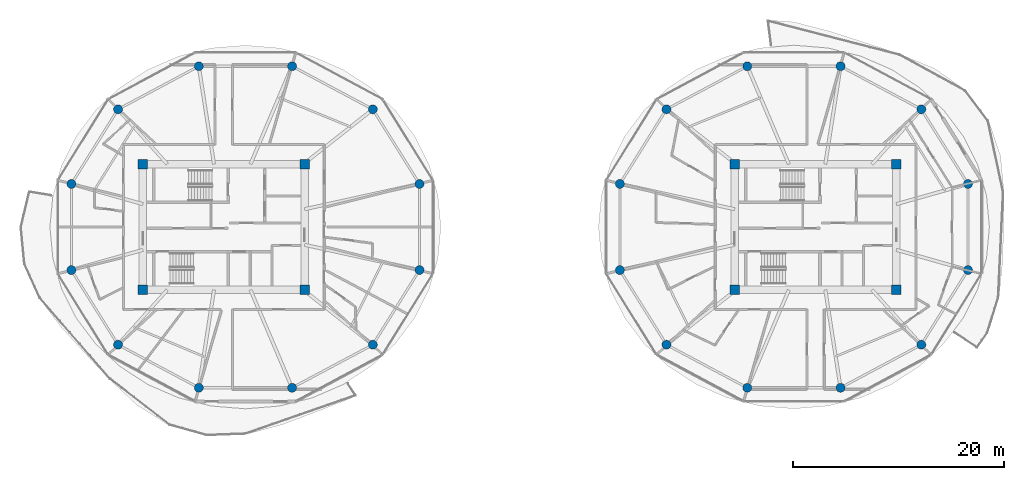
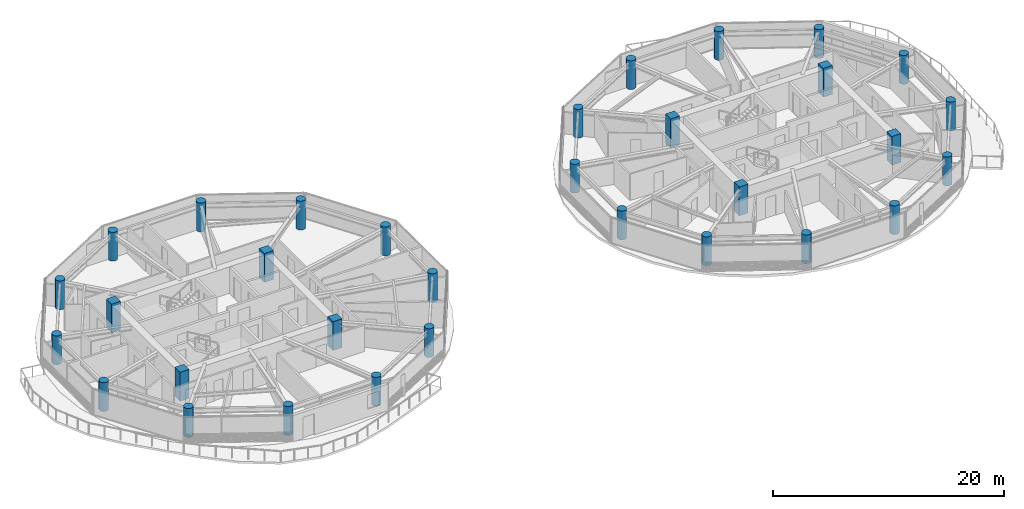
# One storey, part 1 of 24: 32 columns.
"""IFC4 building model written with IfcOpenShell, lengths in metres."""

from ifc_helpers import new_model, si_unit, direction, frame, origin, origin_2d, place, context, subcontext, project, spatial, rectangle, circle, extrude, source, transform, mapped, material, material_profile, profile_set, type_object, type_shapes, element, save


model = new_model("IFC4")

# Units and contexts
model_context = context("Model", 3, precision=1e-05, world=origin(), true_north=direction((0.0, 1.0)))
body_context = subcontext(model_context, "Body", "Model", "MODEL_VIEW")
ifc_project = project(units=[si_unit("LENGTHUNIT", "METRE"), si_unit("AREAUNIT", "SQUARE_METRE"), si_unit("VOLUMEUNIT", "CUBIC_METRE"), si_unit("PLANEANGLEUNIT", "RADIAN"), si_unit("MASSUNIT", "GRAM", prefix="KILO")], contexts=[model_context])

# Site, building, storey
site_placement = place(None, origin())
site = spatial("IfcSite", under=ifc_project, at=site_placement, CompositionType="ELEMENT")
building_placement = place(site_placement, origin())
building = spatial("IfcBuilding", under=site, at=building_placement, Name="Norrkilde Senior Care Towers", CompositionType="ELEMENT")
storey_placement = place(building_placement, frame((0.0, 0.0, 102.35009765625)))
storey = spatial("IfcBuildingStorey", under=building, at=storey_placement, Name="L31", CompositionType="ELEMENT", Elevation=102.35009765625)

# Columns
ifc_material = material(Name="Concrete C60/75", Category="concrete")
ifc_material_profile_1 = material_profile(ifc_material, rectangle(XDim=0.89990234375, YDim=0.89990234375, at=origin_2d()), Name="RC COL 900x900")
ifc_profile_set_1 = profile_set([ifc_material_profile_1], Name="Concrete C60/75")
column_type_1 = type_object("IfcColumnType", Name="Column Core Corner Z1-Z2 900", PredefinedType="COLUMN", material=ifc_profile_set_1)
shared_shape_1 = source(origin(), body_context, "Body", "SweptSolid", [
    extrude(rectangle(XDim=0.89990234375, YDim=0.89990234375, at=origin_2d()), origin(), (0.0, 0.0, 1.0), 3.0498046875),
])
type_shapes(column_type_1, [shared_shape_1])
for number, where, z_axis, x_axis, name in (
    (1, (-35.64990234375, -5.949951171875, 0.0), (0.0, 0.0, 1.0), (1.0, 0.0, 0.0), "L31 Core W Corner Column 1"),
    (2, (-20.35009765625, -5.949951171875, 0.0), (0.0, 0.0, 1.0), (1.0, 0.0, 0.0), "L31 Core W Corner Column 2"),
    (3, (-20.35009765625, 5.949951171875, 0.0), (0.0, 0.0, 1.0), (1.0, 0.0, 0.0), "L31 Core W Corner Column 3"),
    (4, (-35.64990234375, 5.949951171875, 0.0), (0.0, 0.0, 1.0), (1.0, 0.0, 0.0), "L31 Core W Corner Column 4"),
    (5, (20.35009765625, -5.949951171875, 0.0), (0.0, 0.0, 1.0), (1.0, 0.0, 0.0), "L31 Core E Corner Column 1"),
    (6, (35.64990234375, -5.949951171875, 0.0), (0.0, 0.0, 1.0), (1.0, 0.0, 0.0), "L31 Core E Corner Column 2"),
    (7, (35.64990234375, 5.949951171875, 0.0), (0.0, 0.0, 1.0), (1.0, 0.0, 0.0), "L31 Core E Corner Column 3"),
    (8, (20.35009765625, 5.949951171875, 0.0), (0.0, 0.0, 1.0), (1.0, 0.0, 0.0), "L31 Core E Corner Column 4"),
):
    element("IfcColumn", number, at=place(storey_placement, frame(where, z_axis=z_axis, x_axis=x_axis)), inside=storey, type_object=column_type_1, Name=name, PredefinedType="COLUMN", context=body_context, shape_type="MappedRepresentation", body=[
        mapped(shared_shape_1, transform((0.0, 0.0, 0.0), x_axis=(1.0, 0.0, 0.0), y_axis=(0.0, 1.0, 0.0), z_axis=(0.0, 0.0, 1.0), scale=1.0)),
    ])
ifc_material_profile_2 = material_profile(ifc_material, circle(Radius=0.425048828125, at=origin_2d()), Name="RC CIR 850")
ifc_profile_set_2 = profile_set([ifc_material_profile_2], Name="Concrete C60/75")
column_type_2 = type_object("IfcColumnType", Name="Column Perimeter Z2 850", PredefinedType="COLUMN", material=ifc_profile_set_2)
shared_shape_2 = source(origin(), body_context, "Body", "SweptSolid", [
    extrude(circle(Radius=0.425048828125, at=origin_2d()), origin(), (0.0, 0.0, 1.0), 3.0498046875),
])
type_shapes(column_type_2, [shared_shape_2])
for number, where, z_axis, x_axis, name in (
    (9, (-9.48095703125, 4.076416015625, 0.0), (0.0, 0.0, 1.0), (1.0, 0.0, 0.0), "L31 Drum W Perimeter Column 01"),
    (10, (-13.893798828125, 11.136962890625, 0.0), (0.0, 0.0, 1.0), (1.0, 0.0, 0.0), "L31 Drum W Perimeter Column 02"),
    (11, (-21.537109375, 15.21337890625, 0.0), (0.0, 0.0, 1.0), (1.0, 0.0, 0.0), "L31 Drum W Perimeter Column 03"),
    (12, (-30.36279296875, 15.21337890625, 0.0), (0.0, 0.0, 1.0), (1.0, 0.0, 0.0), "L31 Drum W Perimeter Column 04"),
    (13, (-38.006103515625, 11.136962890625, 0.0), (0.0, 0.0, 1.0), (1.0, 0.0, 0.0), "L31 Drum W Perimeter Column 05"),
    (14, (-42.4189453125, 4.076416015625, 0.0), (0.0, 0.0, 1.0), (1.0, 0.0, 0.0), "L31 Drum W Perimeter Column 06"),
    (15, (-42.4189453125, -4.076416015625, 0.0), (0.0, 0.0, 1.0), (1.0, 0.0, 0.0), "L31 Drum W Perimeter Column 07"),
    (16, (-38.006103515625, -11.136962890625, 0.0), (0.0, 0.0, 1.0), (1.0, 0.0, 0.0), "L31 Drum W Perimeter Column 08"),
    (17, (-30.36279296875, -15.21337890625, 0.0), (0.0, 0.0, 1.0), (1.0, 0.0, 0.0), "L31 Drum W Perimeter Column 09"),
    (18, (-21.537109375, -15.21337890625, 0.0), (0.0, 0.0, 1.0), (1.0, 0.0, 0.0), "L31 Drum W Perimeter Column 10"),
    (19, (-13.893798828125, -11.136962890625, 0.0), (0.0, 0.0, 1.0), (1.0, 0.0, 0.0), "L31 Drum W Perimeter Column 11"),
    (20, (-9.48095703125, -4.076416015625, 0.0), (0.0, 0.0, 1.0), (1.0, 0.0, 0.0), "L31 Drum W Perimeter Column 12"),
    (21, (42.4189453125, 4.076416015625, 0.0), (0.0, 0.0, 1.0), (1.0, 0.0, 0.0), "L31 Drum E Perimeter Column 01"),
    (22, (38.006103515625, 11.136962890625, 0.0), (0.0, 0.0, 1.0), (1.0, 0.0, 0.0), "L31 Drum E Perimeter Column 02"),
    (23, (30.36279296875, 15.21337890625, 0.0), (0.0, 0.0, 1.0), (1.0, 0.0, 0.0), "L31 Drum E Perimeter Column 03"),
    (24, (21.537109375, 15.21337890625, 0.0), (0.0, 0.0, 1.0), (1.0, 0.0, 0.0), "L31 Drum E Perimeter Column 04"),
    (25, (13.893798828125, 11.136962890625, 0.0), (0.0, 0.0, 1.0), (1.0, 0.0, 0.0), "L31 Drum E Perimeter Column 05"),
    (26, (9.48095703125, 4.076416015625, 0.0), (0.0, 0.0, 1.0), (1.0, 0.0, 0.0), "L31 Drum E Perimeter Column 06"),
    (27, (9.48095703125, -4.076416015625, 0.0), (0.0, 0.0, 1.0), (1.0, 0.0, 0.0), "L31 Drum E Perimeter Column 07"),
    (28, (13.893798828125, -11.136962890625, 0.0), (0.0, 0.0, 1.0), (1.0, 0.0, 0.0), "L31 Drum E Perimeter Column 08"),
    (29, (21.537109375, -15.21337890625, 0.0), (0.0, 0.0, 1.0), (1.0, 0.0, 0.0), "L31 Drum E Perimeter Column 09"),
    (30, (30.36279296875, -15.21337890625, 0.0), (0.0, 0.0, 1.0), (1.0, 0.0, 0.0), "L31 Drum E Perimeter Column 10"),
    (31, (38.006103515625, -11.136962890625, 0.0), (0.0, 0.0, 1.0), (1.0, 0.0, 0.0), "L31 Drum E Perimeter Column 11"),
    (32, (42.4189453125, -4.076416015625, 0.0), (0.0, 0.0, 1.0), (1.0, 0.0, 0.0), "L31 Drum E Perimeter Column 12"),
):
    element("IfcColumn", number, at=place(storey_placement, frame(where, z_axis=z_axis, x_axis=x_axis)), inside=storey, type_object=column_type_2, Name=name, PredefinedType="COLUMN", context=body_context, shape_type="MappedRepresentation", body=[
        mapped(shared_shape_2, transform((0.0, 0.0, 0.0), x_axis=(1.0, 0.0, 0.0), y_axis=(0.0, 1.0, 0.0), z_axis=(0.0, 0.0, 1.0), scale=1.0)),
    ])

save(model, "model.ifc")
